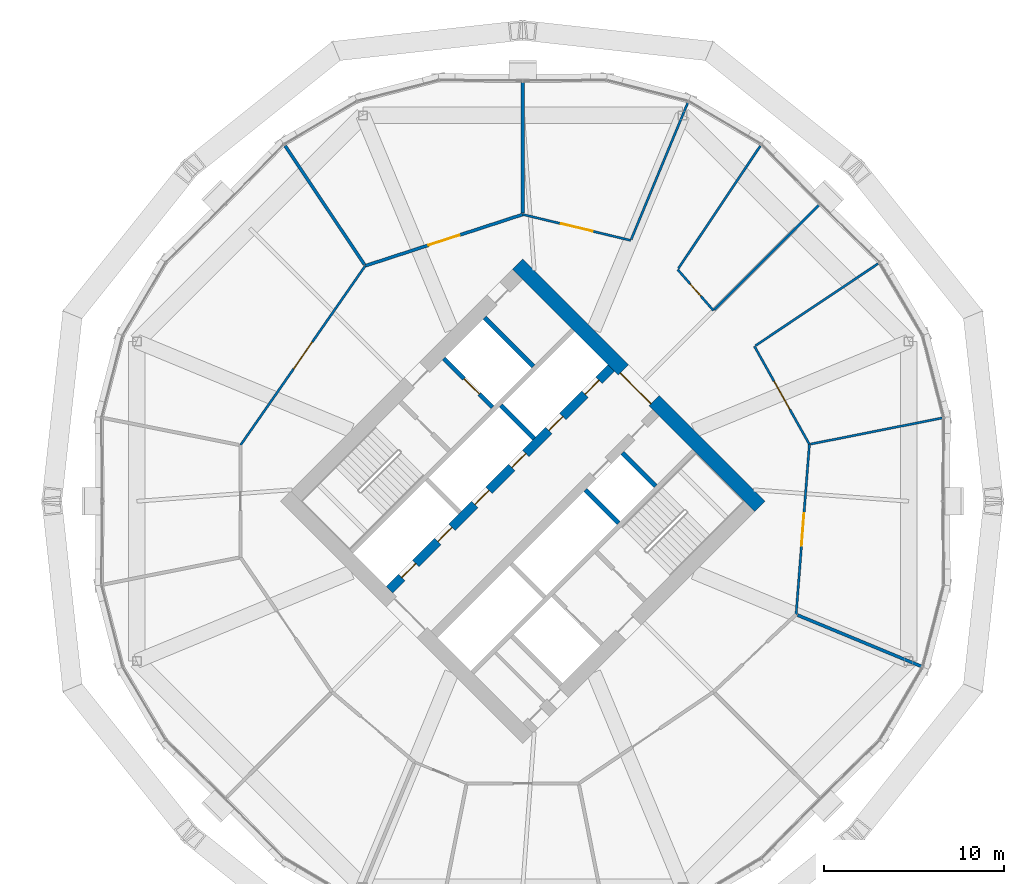
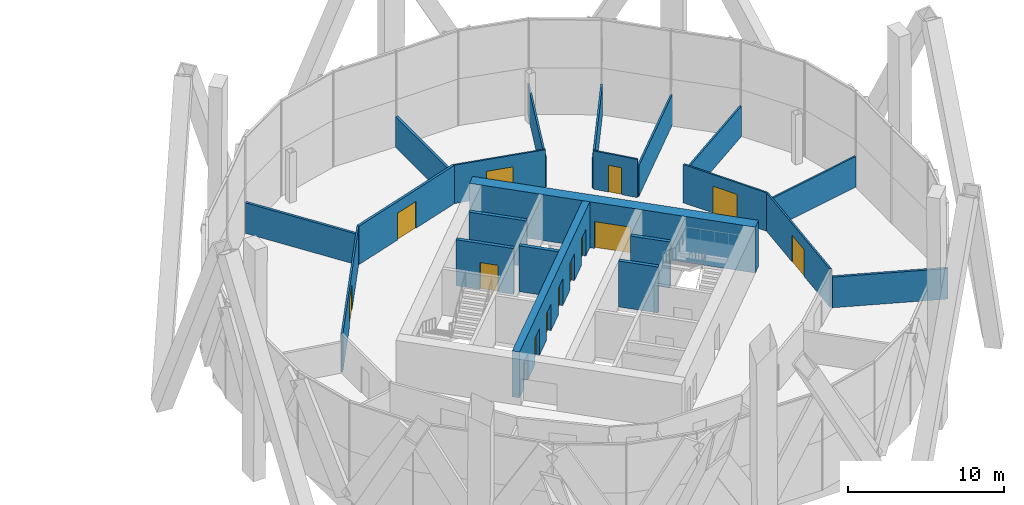
# One storey, part 25 of 30: 21 walls, 14 doors, 14 openings.
"""IFC4 building model written with IfcOpenShell, lengths in metres."""

import ifcopenshell
import ifcopenshell.guid

model = None  # the IFC model being written
_history = None  # IfcOwnerHistory: only IFC2X3 demands one
_inside = {}  # id of a spatial element -> (the spatial element, [elements in it])
_under = {}  # id of a project, library or spatial element -> (it, [spatial elements below it])
_declared = {}  # id of a project -> (the project, [libraries it declares])
_typed = {}  # id of a type object -> (the type object, [elements of that type])
_made_of = {}  # id of a material, layer set ... -> (it, [elements and type objects made of it])


def new_model(schema):
    """Start an empty IFC model of exactly this schema.

    Asked for "IFC4X3", IfcOpenShell would pick the latest addendum, in which some entities
    have other attributes; the version numbers below select the first issue.
    IFC2X3 requires an IfcOwnerHistory on every rooted entity: one is made here for all.
    """
    global model, _history
    if schema == "IFC4X3":
        model = ifcopenshell.file(schema_version=(4, 3, 0, 0))
    else:
        model = ifcopenshell.file(schema=schema)
    _inside.clear()
    _under.clear()
    _declared.clear()
    _typed.clear()
    _made_of.clear()
    _history = None
    if model.schema == "IFC2X3":
        org = make("IfcOrganization", Name="unknown")
        user = make(
            "IfcPersonAndOrganization",
            ThePerson=make("IfcPerson", FamilyName="unknown"),
            TheOrganization=org,
        )
        app = make(
            "IfcApplication",
            ApplicationDeveloper=org,
            Version="unknown",
            ApplicationFullName="unknown",
            ApplicationIdentifier="unknown",
        )
        _history = make(
            "IfcOwnerHistory",
            OwningUser=user,
            OwningApplication=app,
            ChangeAction="ADDED",
            CreationDate=0,
        )
    return model


def make(cls, **values):
    """One entity of the class cls with the attributes given. An attribute that is None is left unset."""
    return model.create_entity(
        cls, **{name: value for name, value in values.items() if value is not None}
    )


def rooted(cls, **values):
    """An entity with a GlobalId (a new one), such as an element, a storey or a relation."""
    return make(cls, GlobalId=ifcopenshell.guid.new(), OwnerHistory=_history, **values)


def si_unit(unit_type, name, prefix=None):
    """IfcSIUnit, for example si_unit("LENGTHUNIT", "METRE", prefix="MILLI")."""
    return make("IfcSIUnit", UnitType=unit_type, Prefix=prefix, Name=name)


def assignment(units):
    """IfcUnitAssignment: the units of a project."""
    return None if units is None else make("IfcUnitAssignment", Units=units)


def point(xyz):
    """IfcCartesianPoint."""
    return None if xyz is None else make("IfcCartesianPoint", Coordinates=xyz)


def direction(xyz):
    """IfcDirection."""
    return None if xyz is None else make("IfcDirection", DirectionRatios=xyz)


def frame(location, z_axis=None, x_axis=None):
    """IfcAxis2Placement3D, a coordinate frame: its origin and axes. An axis left out is left unset."""
    return make(
        "IfcAxis2Placement3D",
        Location=point(location),
        Axis=direction(z_axis),
        RefDirection=direction(x_axis),
    )


def frame_2d(location, x_axis=None):
    """IfcAxis2Placement2D, a coordinate frame in the plane: its origin and x axis."""
    return make(
        "IfcAxis2Placement2D", Location=point(location), RefDirection=direction(x_axis)
    )


def origin():
    """The frame at (0, 0, 0) with its axes left unset."""
    return frame((0.0, 0.0, 0.0))


def place(relative_to, where):
    """IfcLocalPlacement: puts the frame where relative to a parent placement (None: the world)."""
    return make(
        "IfcLocalPlacement", PlacementRelTo=relative_to, RelativePlacement=where
    )


def context(
    kind, dimensions, precision=None, world=None, true_north=None, identifier=None
):
    """IfcGeometricRepresentationContext, for example the 3D "Model" context."""
    return make(
        "IfcGeometricRepresentationContext",
        ContextIdentifier=identifier,
        ContextType=kind,
        CoordinateSpaceDimension=dimensions,
        Precision=precision,
        WorldCoordinateSystem=world,
        TrueNorth=true_north,
    )


def subcontext(parent, identifier, kind, view, scale=None):
    """IfcGeometricRepresentationSubContext, for example "Body" below "Model"."""
    return make(
        "IfcGeometricRepresentationSubContext",
        ContextIdentifier=identifier,
        ContextType=kind,
        ParentContext=parent,
        TargetScale=scale,
        TargetView=view,
    )


def project(units=None, contexts=None):
    """IfcProject with its units and contexts."""
    return rooted(
        "IfcProject",
        Name="project",
        RepresentationContexts=contexts,
        UnitsInContext=assignment(units),
    )


def spatial(cls, under=None, at=None, **own):
    """A site, building, storey or space (cls), placed at a placement, below another one or the project."""
    s = rooted(cls, ObjectPlacement=at, **own)
    if under is not None:
        _under.setdefault(under.id(), (under, []))[1].append(s)
    return s


def profile(cls, at=None, kind="AREA", **sizes):
    """A parametric profile (cls). Its sizes go by their IFC names, for example OverallWidth=200.0."""
    return make(cls, ProfileType=kind, Position=at, **sizes)


def rectangle(**sizes):
    """IfcRectangleProfileDef."""
    return profile("IfcRectangleProfileDef", **sizes)


def extrude(swept, where, along, depth):
    """IfcExtrudedAreaSolid: the profile swept, set in the frame where, extruded along a direction by depth."""
    return make(
        "IfcExtrudedAreaSolid",
        SweptArea=swept,
        Position=where,
        ExtrudedDirection=direction(along),
        Depth=depth,
    )


def shape(context_of_items, identifier, shape_type, items):
    """IfcShapeRepresentation: the items that make up one representation, for example the "Body"."""
    return make(
        "IfcShapeRepresentation",
        ContextOfItems=context_of_items,
        RepresentationIdentifier=identifier,
        RepresentationType=shape_type,
        Items=items,
    )


def material(Name=None, Category=None):
    """IfcMaterial."""
    return make("IfcMaterial", Name=Name, Category=Category)


def layer(
    of_material, thickness, ventilated=None, Name=None, Category=None, Priority=None
):
    """IfcMaterialLayer: one layer of a wall or slab, of a material (None: an air gap)."""
    return make(
        "IfcMaterialLayer",
        Material=of_material,
        LayerThickness=thickness,
        IsVentilated=ventilated,
        Name=Name,
        Category=Category,
        Priority=Priority,
    )


def layer_set(layers, Name=None):
    """IfcMaterialLayerSet."""
    return make("IfcMaterialLayerSet", MaterialLayers=layers, LayerSetName=Name)


def made_of(thing, what):
    """Note that an element or type object is made of a material, layer set ...; save() writes the relation."""
    if what is not None:
        _made_of.setdefault(what.id(), (what, []))[1].append(thing)
    return thing


def type_object(cls, material=None, **own):
    """A type object (cls), such as IfcWallType, which elements share."""
    return made_of(rooted(cls, **own), material)


def element(
    cls,
    number,
    at=None,
    inside=None,
    cuts=None,
    type_object=None,
    material=None,
    context=None,
    identifier="Body",
    shape_type=None,
    held_by="IfcProductDefinitionShape",
    body=None,
    shapes=None,
    **own,
):
    """One element of the class cls, such as IfcWall. Its Tag is "e" and its number.

    at: its placement. inside: the storey or other place that contains it. cuts: it is an
    opening in that element (IfcRelVoidsElement). A single representation is given by context,
    identifier, shape_type and body (its items); several are given by shapes. held_by: the class
    of the entity that holds the representations. save() writes the other relations.
    """
    e = rooted(cls, Tag="e%d" % number, ObjectPlacement=at, **own)
    if body is not None:
        shapes = [shape(context, identifier, shape_type, body)]
    if shapes is not None:
        e.Representation = make(held_by, Representations=shapes)
    if inside is not None:
        _inside.setdefault(inside.id(), (inside, []))[1].append(e)
    if cuts is not None:
        rooted(
            "IfcRelVoidsElement", RelatingBuildingElement=cuts, RelatedOpeningElement=e
        )
    if type_object is not None:
        _typed.setdefault(type_object.id(), (type_object, []))[1].append(e)
    return made_of(e, material)


def fill(opening, filler):
    """IfcRelFillsElement: the door or window that sits in an opening."""
    return rooted(
        "IfcRelFillsElement",
        RelatingOpeningElement=opening,
        RelatedBuildingElement=filler,
    )


def aggregate(whole, parts):
    """IfcRelAggregates: a whole, such as a stair, and the parts it consists of."""
    return rooted("IfcRelAggregates", RelatingObject=whole, RelatedObjects=parts)


def save(model, path):
    """Write the relations noted so far, then the file.

    IfcRelAggregates (storeys below a building ...), IfcRelContainedInSpatialStructure (elements
    in a storey), IfcRelDefinesByType, IfcRelAssociatesMaterial and IfcRelDeclares: one each for
    every whole, place, type object, material and project.
    """
    for whole, parts in _under.values():
        aggregate(whole, parts)
    for where, things in _inside.values():
        rooted(
            "IfcRelContainedInSpatialStructure",
            RelatedElements=things,
            RelatingStructure=where,
        )
    for kind, things in _typed.values():
        rooted("IfcRelDefinesByType", RelatedObjects=things, RelatingType=kind)
    for what, things in _made_of.values():
        rooted("IfcRelAssociatesMaterial", RelatedObjects=things, RelatingMaterial=what)
    for by, libraries in _declared.values():
        rooted("IfcRelDeclares", RelatingContext=by, RelatedDefinitions=libraries)
    model.write(path)


model = new_model("IFC4")

# Units and contexts
model_context = context("Model", 3, precision=1e-05, world=origin(), true_north=direction((0.0, 1.0)))
body_context = subcontext(model_context, "Body", "Model", "MODEL_VIEW")
ifc_project = project(units=[si_unit("LENGTHUNIT", "METRE"), si_unit("AREAUNIT", "SQUARE_METRE"), si_unit("VOLUMEUNIT", "CUBIC_METRE"), si_unit("PLANEANGLEUNIT", "RADIAN"), si_unit("MASSUNIT", "GRAM", prefix="KILO")], contexts=[model_context])

# Site, building, storey
site_placement = place(None, origin())
site = spatial("IfcSite", under=ifc_project, at=site_placement, CompositionType="ELEMENT")
building_placement = place(site_placement, origin())
building = spatial("IfcBuilding", under=site, at=building_placement, Name="Ogive Gate Towers", CompositionType="ELEMENT")
storey_placement = place(building_placement, frame((0.0, 0.0, 99.60009765625)))
storey = spatial("IfcBuildingStorey", under=building, at=storey_placement, Name="L23", CompositionType="ELEMENT", Elevation=99.60009765625)

# Walls
ifc_material_1 = material(Name="Gypsum board acoustic partition")
ifc_layer_1 = layer(ifc_material_1, 0.175048828125)
ifc_layer_set_1 = layer_set([ifc_layer_1], Name="Acoustic partition 175")
wall_type_1 = type_object("IfcWallType", Name="Acoustic partition 175", PredefinedType="PARTITIONING", material=ifc_layer_set_1)
wall_1_placement = place(storey_placement, frame((36.0, 23.208984375, 0.0), z_axis=(0.0, 0.0, 1.0), x_axis=(0.0, -1.0, 0.0)))
element("IfcWall", 1, at=wall_1_placement, inside=storey, type_object=wall_type_1, Name="Partition T2-L23-006", PredefinedType="PARTITIONING", context=body_context, shape_type="SweptSolid", body=[
    extrude(rectangle(XDim=7.221435546875, YDim=0.175048828125, at=frame_2d((3.61083984375, 0.0))), origin(), (0.0, 0.0, 1.0), 2.39990234375),
])
wall_2_placement = place(storey_placement, frame((22.8212890625, 19.709716796875, 0.0), z_axis=(0.0, 0.0, 1.0), x_axis=(0.555845146473, -0.831285855252, 0.0)))
element("IfcWall", 2, at=wall_2_placement, inside=storey, type_object=wall_type_1, Name="Partition T2-L23-007", PredefinedType="PARTITIONING", context=body_context, shape_type="SweptSolid", body=[
    extrude(rectangle(XDim=7.918701171875, YDim=0.175048828125, at=frame_2d((3.95947265625, 0.0))), origin(), (0.0, 0.0, 1.0), 2.39990234375),
])
wall_3_placement = place(storey_placement, frame((58.1669921875, -9.181884765625, 0.0), z_axis=(0.0, 0.0, 1.0), x_axis=(-0.923880784605, 0.382680409531, 0.0)))
element("IfcWall", 3, at=wall_3_placement, inside=storey, type_object=wall_type_1, Name="Partition T2-L23-015", PredefinedType="PARTITIONING", context=body_context, shape_type="SweptSolid", body=[
    extrude(rectangle(XDim=7.501953125, YDim=0.175048828125, at=frame_2d((3.7509765625, 0.0))), origin(), (0.0, 0.0, 1.0), 2.39990234375),
])

# Wall, opening, door
wall_4_placement = place(storey_placement, frame((36.0, 15.89990234375, 0.0), z_axis=(0.0, 0.0, 1.0), x_axis=(-0.950747558922, -0.309966254945, 0.0)))
wall_4 = element("IfcWall", 4, at=wall_4_placement, inside=storey, type_object=wall_type_1, Name="Partition T2-L23-018", PredefinedType="PARTITIONING", context=body_context, shape_type="SweptSolid", body=[
    extrude(rectangle(XDim=9.1806640625, YDim=0.175048828125, at=frame_2d((4.59033203125, 0.0))), origin(), (0.0, 0.0, 1.0), 3.010009765625),
])
opening_1_placement = place(wall_4_placement, frame((3.68994140625, 0.0, 0.0)))
opening_1 = element("IfcOpeningElement", 5, at=opening_1_placement, cuts=wall_4, Name="Opening T2-L23-D03", PredefinedType="OPENING", context=body_context, shape_type="SweptSolid", body=[
    extrude(rectangle(XDim=1.800048828125, YDim=2.10009765625, at=frame_2d((0.89990234375, 1.050048828125))), frame((0.0, 0.09765625, 0.0), z_axis=(0.0, -1.0, 0.0), x_axis=(1.0, 0.0, 0.0)), (0.0, 0.0, 1.0), 0.195068359375),
])
ifc_material_2 = material(Name="Timber door", Category="wood")
door_type_1 = type_object("IfcDoorType", Name="Door pair 1800", OperationType="NOTDEFINED", PredefinedType="DOOR", material=ifc_material_2)
door_1_placement = place(opening_1_placement, origin())
door_1 = element("IfcDoor", 6, at=door_1_placement, inside=storey, type_object=door_type_1, Name="Door T2-L23-D03", OperationType="DOUBLE_DOOR_DOUBLE_SWING", OverallHeight=2.10009765625, OverallWidth=1.800048828125, PredefinedType="DOOR", context=body_context, shape_type="SweptSolid", body=[
    extrude(rectangle(XDim=1.800048828125, YDim=2.10009765625, at=frame_2d((0.89990234375, 1.050048828125))), frame((0.0, 0.02490234375, 0.0), z_axis=(0.0, -1.0, 0.0), x_axis=(1.0, 0.0, 0.0)), (0.0, 0.0, 1.0), 0.050048828125),
])
fill(opening_1, door_1)

ifc_material_3 = material(Name="Concrete C60/75", Category="concrete")
ifc_layer_2 = layer(ifc_material_3, 0.800048828125)
ifc_layer_set_2 = layer_set([ifc_layer_2], Name="Core wall 800 mm")
wall_type_2 = type_object("IfcWallType", Name="Core wall 800 mm", PredefinedType="SHEAR", material=ifc_layer_set_2)
wall_5_placement = place(storey_placement, frame((49.152099609375, -0.28271484375, 0.0), z_axis=(0.0, 0.0, 1.0), x_axis=(-0.707106781187, 0.707106781187, 0.0)))
wall_5 = element("IfcWall", 7, at=wall_5_placement, inside=storey, type_object=wall_type_2, Name="T2 L23 Core wall 800 mm", PredefinedType="SHEAR", context=body_context, shape_type="SweptSolid", body=[
    extrude(rectangle(XDim=18.999755859375, YDim=0.800048828125, at=frame_2d((9.5, 0.0))), origin(), (0.0, 0.0, 1.0), 3.599853515625),
])
opening_2_placement = place(wall_5_placement, frame((8.300048828125, 0.0, 0.0)))
opening_2 = element("IfcOpeningElement", 8, at=opening_2_placement, cuts=wall_5, Name="Opening KD-T2-L23-02", PredefinedType="OPENING", context=body_context, shape_type="SweptSolid", body=[
    extrude(rectangle(XDim=2.39990234375, YDim=2.10009765625, at=frame_2d((1.199951171875, 1.050048828125))), frame((0.0, 0.41015625, 0.0), z_axis=(0.0, -1.0, 0.0), x_axis=(1.0, 0.0, 0.0)), (0.0, 0.0, 1.0), 0.820068359375),
])
ifc_material_4 = material(Name="Steel fire door", Category="steel")
door_type_2 = type_object("IfcDoorType", Name="Core double door FD60S 2400 x 2100", OperationType="DOUBLE_DOOR_SINGLE_SWING", PredefinedType="DOOR", material=ifc_material_4)
door_2_placement = place(opening_2_placement, origin())
door_2 = element("IfcDoor", 9, at=door_2_placement, inside=storey, type_object=door_type_2, Name="T2 L23 Core door double", OperationType="DOUBLE_DOOR_SINGLE_SWING", OverallHeight=2.10009765625, OverallWidth=2.39990234375, PredefinedType="DOOR", context=body_context, shape_type="SweptSolid", body=[
    extrude(rectangle(XDim=2.39990234375, YDim=2.10009765625, at=frame_2d((1.199951171875, 1.050048828125))), frame((0.0, 0.27490234375, 0.0), z_axis=(0.0, -1.0, 0.0), x_axis=(1.0, 0.0, 0.0)), (0.0, 0.0, 1.0), 0.050048828125),
])
fill(opening_2, door_2)

# Walls
ifc_material_5 = material(Name="Gypsum board partition")
ifc_layer_3 = layer(ifc_material_5, 0.125)
ifc_layer_set_3 = layer_set([ifc_layer_3], Name="Partition 125")
wall_type_3 = type_object("IfcWallType", Name="Partition 125", PredefinedType="PARTITIONING", material=ifc_layer_set_3)
wall_6_placement = place(storey_placement, frame((59.25537109375, 4.6181640625, 0.0), z_axis=(0.0, 0.0, 1.0), x_axis=(-0.980844693546, -0.194791393913, 0.0)))
element("IfcWall", 10, at=wall_6_placement, inside=storey, type_object=wall_type_3, Name="Partition T2-L23-001", PredefinedType="PARTITIONING", context=body_context, shape_type="SweptSolid", body=[
    extrude(rectangle(XDim=7.443603515625, YDim=0.125, at=frame_2d((3.7216796875, 0.0))), origin(), (0.0, 0.0, 1.0), 2.39990234375),
])
wall_7_placement = place(storey_placement, frame((55.709716796875, 13.1787109375, 0.0), z_axis=(0.0, 0.0, 1.0), x_axis=(-0.831283969022, -0.555847967386, 0.0)))
element("IfcWall", 11, at=wall_7_placement, inside=storey, type_object=wall_type_3, Name="Partition T2-L23-002", PredefinedType="PARTITIONING", context=body_context, shape_type="SweptSolid", body=[
    extrude(rectangle(XDim=8.193603515625, YDim=0.125, at=frame_2d((4.0966796875, 0.0))), origin(), (0.0, 0.0, 1.0), 2.39990234375),
])
wall_8_placement = place(storey_placement, frame((52.521240234375, 16.521240234375, 0.0), z_axis=(0.0, 0.0, 1.0), x_axis=(-0.707106781187, -0.707106781187, 0.0)))
element("IfcWall", 12, at=wall_8_placement, inside=storey, type_object=wall_type_3, Name="Partition T2-L23-003", PredefinedType="PARTITIONING", context=body_context, shape_type="SweptSolid", body=[
    extrude(rectangle(XDim=8.348876953125, YDim=0.125, at=frame_2d((4.17431640625, 0.0))), origin(), (0.0, 0.0, 1.0), 2.39990234375),
])
wall_9_placement = place(storey_placement, frame((49.1787109375, 19.709716796875, 0.0), z_axis=(0.0, 0.0, 1.0), x_axis=(-0.555847967386, -0.831283969022, 0.0)))
element("IfcWall", 13, at=wall_9_placement, inside=storey, type_object=wall_type_3, Name="Partition T2-L23-004", PredefinedType="PARTITIONING", context=body_context, shape_type="SweptSolid", body=[
    extrude(rectangle(XDim=8.193603515625, YDim=0.125, at=frame_2d((4.0966796875, 0.0))), origin(), (0.0, 0.0, 1.0), 2.39990234375),
])
wall_10_placement = place(storey_placement, frame((45.181884765625, 22.1669921875, 0.0), z_axis=(0.0, 0.0, 1.0), x_axis=(-0.382683502843, -0.923879503318, 0.0)))
element("IfcWall", 14, at=wall_10_placement, inside=storey, type_object=wall_type_3, Name="Partition T2-L23-005", PredefinedType="PARTITIONING", context=body_context, shape_type="SweptSolid", body=[
    extrude(rectangle(XDim=8.277099609375, YDim=0.125, at=frame_2d((4.138671875, 0.0))), origin(), (0.0, 0.0, 1.0), 2.39990234375),
])

# Wall, opening, door
wall_11_placement = place(storey_placement, frame((46.573486328125, 10.573486328125, 0.0), z_axis=(0.0, 0.0, 1.0), x_axis=(-0.657576005144, 0.753388211653, 0.0)))
wall_11 = element("IfcWall", 15, at=wall_11_placement, inside=storey, type_object=wall_type_3, Name="Partition T2-L23-016", PredefinedType="PARTITIONING", context=body_context, shape_type="SweptSolid", body=[
    extrude(rectangle(XDim=3.01708984375, YDim=0.125, at=frame_2d((1.508544921875, 0.0))), origin(), (0.0, 0.0, 1.0), 3.0),
])
opening_3_placement = place(wall_11_placement, frame((1.05810546875, 0.0, 0.0)))
opening_3 = element("IfcOpeningElement", 16, at=opening_3_placement, cuts=wall_11, Name="Opening T2-L23-D01", PredefinedType="OPENING", context=body_context, shape_type="SweptSolid", body=[
    extrude(rectangle(XDim=0.89990234375, YDim=2.10009765625, at=frame_2d((0.449951171875, 1.050048828125))), frame((0.0, 0.072509765625, 0.0), z_axis=(0.0, -1.0, 0.0), x_axis=(1.0, 0.0, 0.0)), (0.0, 0.0, 1.0), 0.14501953125),
])
door_type_3 = type_object("IfcDoorType", Name="Door 900", OperationType="NOTDEFINED", PredefinedType="DOOR", material=ifc_material_2)
door_3_placement = place(opening_3_placement, origin())
door_3 = element("IfcDoor", 17, at=door_3_placement, inside=storey, type_object=door_type_3, Name="Door T2-L23-D01", OperationType="SINGLE_SWING_LEFT", OverallHeight=2.10009765625, OverallWidth=0.89990234375, PredefinedType="DOOR", context=body_context, shape_type="SweptSolid", body=[
    extrude(rectangle(XDim=0.89990234375, YDim=2.10009765625, at=frame_2d((0.449951171875, 1.050048828125))), frame((0.0, 0.02490234375, 0.0), z_axis=(0.0, -1.0, 0.0), x_axis=(1.0, 0.0, 0.0)), (0.0, 0.0, 1.0), 0.050048828125),
])
fill(opening_3, door_3)

wall_12_placement = place(storey_placement, frame((41.990478515625, 14.46240234375, 0.0), z_axis=(0.0, 0.0, 1.0), x_axis=(-0.972395215381, 0.23333997751, 0.0)))
wall_12 = element("IfcWall", 18, at=wall_12_placement, inside=storey, type_object=wall_type_3, Name="Partition T2-L23-017", PredefinedType="PARTITIONING", context=body_context, shape_type="SweptSolid", body=[
    extrude(rectangle(XDim=6.16064453125, YDim=0.125, at=frame_2d((3.080322265625, 0.0))), origin(), (0.0, 0.0, 1.0), 3.010009765625),
])
opening_4_placement = place(wall_12_placement, frame((2.179931640625, 0.0, 0.0)))
opening_4 = element("IfcOpeningElement", 19, at=opening_4_placement, cuts=wall_12, Name="Opening T2-L23-D02", PredefinedType="OPENING", context=body_context, shape_type="SweptSolid", body=[
    extrude(rectangle(XDim=1.800048828125, YDim=2.10009765625, at=frame_2d((0.89990234375, 1.050048828125))), frame((0.0, 0.072509765625, 0.0), z_axis=(0.0, -1.0, 0.0), x_axis=(1.0, 0.0, 0.0)), (0.0, 0.0, 1.0), 0.14501953125),
])
door_4_placement = place(opening_4_placement, origin())
door_4 = element("IfcDoor", 20, at=door_4_placement, inside=storey, type_object=door_type_1, Name="Door T2-L23-D02", OperationType="DOUBLE_DOOR_DOUBLE_SWING", OverallHeight=2.10009765625, OverallWidth=1.800048828125, PredefinedType="DOOR", context=body_context, shape_type="SweptSolid", body=[
    extrude(rectangle(XDim=1.800048828125, YDim=2.10009765625, at=frame_2d((0.89990234375, 1.050048828125))), frame((0.0, 0.02490234375, 0.0), z_axis=(0.0, -1.0, 0.0), x_axis=(1.0, 0.0, 0.0)), (0.0, 0.0, 1.0), 0.050048828125),
])
fill(opening_4, door_4)

wall_13_placement = place(storey_placement, frame((27.271484375, 13.05419921875, 0.0), z_axis=(0.0, 0.0, 1.0), x_axis=(-0.571060946089, -0.820907665851, 0.0)))
wall_13 = element("IfcWall", 21, at=wall_13_placement, inside=storey, type_object=wall_type_3, Name="Partition T2-L23-019", PredefinedType="PARTITIONING", context=body_context, shape_type="SweptSolid", body=[
    extrude(rectangle(XDim=12.11669921875, YDim=0.125, at=frame_2d((6.058349609375, 0.0))), origin(), (0.0, 0.0, 1.0), 3.0),
])
opening_5_placement = place(wall_13_placement, frame((5.157958984375, 0.0, 0.0)))
opening_5 = element("IfcOpeningElement", 22, at=opening_5_placement, cuts=wall_13, Name="Opening T2-L23-D04", PredefinedType="OPENING", context=body_context, shape_type="SweptSolid", body=[
    extrude(rectangle(XDim=1.800048828125, YDim=2.10009765625, at=frame_2d((0.89990234375, 1.050048828125))), frame((0.0, 0.072509765625, 0.0), z_axis=(0.0, -1.0, 0.0), x_axis=(1.0, 0.0, 0.0)), (0.0, 0.0, 1.0), 0.14501953125),
])
door_5_placement = place(opening_5_placement, origin())
door_5 = element("IfcDoor", 23, at=door_5_placement, inside=storey, type_object=door_type_1, Name="Door T2-L23-D04", OperationType="DOUBLE_DOOR_DOUBLE_SWING", OverallHeight=2.10009765625, OverallWidth=1.800048828125, PredefinedType="DOOR", context=body_context, shape_type="SweptSolid", body=[
    extrude(rectangle(XDim=1.800048828125, YDim=2.10009765625, at=frame_2d((0.89990234375, 1.050048828125))), frame((0.0, 0.02490234375, 0.0), z_axis=(0.0, -1.0, 0.0), x_axis=(1.0, 0.0, 0.0)), (0.0, 0.0, 1.0), 0.050048828125),
])
fill(opening_5, door_5)

wall_14_placement = place(storey_placement, frame((51.1552734375, -6.277587890625, 0.0), z_axis=(0.0, 0.0, 1.0), x_axis=(0.077971011993, 0.99695562654, 0.0)))
wall_14 = element("IfcWall", 24, at=wall_14_placement, inside=storey, type_object=wall_type_3, Name="Partition T2-L23-027", PredefinedType="PARTITIONING", context=body_context, shape_type="SweptSolid", body=[
    extrude(rectangle(XDim=9.46240234375, YDim=0.125, at=frame_2d((4.731201171875, 0.0))), origin(), (0.0, 0.0, 1.0), 3.010009765625),
])
opening_6_placement = place(wall_14_placement, frame((3.8310546875, 0.0, 0.0)))
opening_6 = element("IfcOpeningElement", 25, at=opening_6_placement, cuts=wall_14, Name="Opening T2-L23-D12", PredefinedType="OPENING", context=body_context, shape_type="SweptSolid", body=[
    extrude(rectangle(XDim=1.800048828125, YDim=2.10009765625, at=frame_2d((0.89990234375, 1.050048828125))), frame((0.0, 0.072509765625, 0.0), z_axis=(0.0, -1.0, 0.0), x_axis=(1.0, 0.0, 0.0)), (0.0, 0.0, 1.0), 0.14501953125),
])
door_6_placement = place(opening_6_placement, origin())
door_6 = element("IfcDoor", 26, at=door_6_placement, inside=storey, type_object=door_type_1, Name="Door T2-L23-D12", OperationType="DOUBLE_DOOR_DOUBLE_SWING", OverallHeight=2.10009765625, OverallWidth=1.800048828125, PredefinedType="DOOR", context=body_context, shape_type="SweptSolid", body=[
    extrude(rectangle(XDim=1.800048828125, YDim=2.10009765625, at=frame_2d((0.89990234375, 1.050048828125))), frame((0.0, 0.02490234375, 0.0), z_axis=(0.0, -1.0, 0.0), x_axis=(1.0, 0.0, 0.0)), (0.0, 0.0, 1.0), 0.050048828125),
])
fill(opening_6, door_6)

wall_15_placement = place(storey_placement, frame((51.89306640625, 3.156005859375, 0.0), z_axis=(0.0, 0.0, 1.0), x_axis=(-0.489069920592, 0.872244583114, 0.0)))
wall_15 = element("IfcWall", 27, at=wall_15_placement, inside=storey, type_object=wall_type_3, Name="Partition T2-L23-028", PredefinedType="PARTITIONING", context=body_context, shape_type="SweptSolid", body=[
    extrude(rectangle(XDim=6.2294921875, YDim=0.125, at=frame_2d((3.11474609375, 0.0))), origin(), (0.0, 0.0, 1.0), 3.010009765625),
])
opening_7_placement = place(wall_15_placement, frame((2.215087890625, 0.0, 0.0)))
opening_7 = element("IfcOpeningElement", 28, at=opening_7_placement, cuts=wall_15, Name="Opening T2-L23-D13", PredefinedType="OPENING", context=body_context, shape_type="SweptSolid", body=[
    extrude(rectangle(XDim=1.800048828125, YDim=2.10009765625, at=frame_2d((0.89990234375, 1.050048828125))), frame((0.0, 0.072509765625, 0.0), z_axis=(0.0, -1.0, 0.0), x_axis=(1.0, 0.0, 0.0)), (0.0, 0.0, 1.0), 0.14501953125),
])
door_7_placement = place(opening_7_placement, origin())
door_7 = element("IfcDoor", 29, at=door_7_placement, inside=storey, type_object=door_type_1, Name="Door T2-L23-D13", OperationType="DOUBLE_DOOR_DOUBLE_SWING", OverallHeight=2.10009765625, OverallWidth=1.800048828125, PredefinedType="DOOR", context=body_context, shape_type="SweptSolid", body=[
    extrude(rectangle(XDim=1.800048828125, YDim=2.10009765625, at=frame_2d((0.89990234375, 1.050048828125))), frame((0.0, 0.02490234375, 0.0), z_axis=(0.0, -1.0, 0.0), x_axis=(1.0, 0.0, 0.0)), (0.0, 0.0, 1.0), 0.050048828125),
])
fill(opening_7, door_7)

ifc_layer_4 = layer(ifc_material_3, 0.25)
ifc_layer_set_4 = layer_set([ifc_layer_4], Name="Shaft wall 250 mm")
wall_type_4 = type_object("IfcWallType", Name="Shaft wall 250 mm", PredefinedType="SHEAR", material=ifc_layer_set_4)
wall_16_placement = place(storey_placement, frame((34.320556640625, 5.21484375, 0.0), z_axis=(0.0, 0.0, 1.0), x_axis=(-0.707074866995, 0.707138693938, 0.0)))
wall_16 = element("IfcWall", 30, at=wall_16_placement, inside=storey, type_object=wall_type_4, Name="T2 L23 Shaft wall 250 mm", PredefinedType="SHEAR", context=body_context, shape_type="SweptSolid", body=[
    extrude(rectangle(XDim=3.824951171875, YDim=0.25, at=frame_2d((1.91259765625, 0.0))), origin(), (0.0, 0.0, 1.0), 3.599853515625),
])
opening_8_placement = place(wall_16_placement, frame((1.02490234375, 0.0, 0.0)))
opening_8 = element("IfcOpeningElement", 31, at=opening_8_placement, cuts=wall_16, Name="Opening LD-T2-L23-10", PredefinedType="OPENING", context=body_context, shape_type="SweptSolid", body=[
    extrude(rectangle(XDim=1.199951171875, YDim=2.10009765625, at=frame_2d((0.60009765625, 1.050048828125))), frame((0.0, 0.135009765625, 0.0), z_axis=(0.0, -1.0, 0.0), x_axis=(1.0, 0.0, 0.0)), (0.0, 0.0, 1.0), 0.27001953125),
])
ifc_material_6 = material(Name="Stainless steel landing door", Category="steel")
door_type_4 = type_object("IfcDoorType", Name="Landing door 1200 x 2100", OperationType="SLIDING_TO_LEFT", PredefinedType="DOOR", material=ifc_material_6)
door_8_placement = place(opening_8_placement, origin())
door_8 = element("IfcDoor", 32, at=door_8_placement, inside=storey, type_object=door_type_4, Name="T2 L23 Lift landing door FF1", OperationType="SLIDING_TO_LEFT", OverallHeight=2.10009765625, OverallWidth=1.199951171875, PredefinedType="DOOR", context=body_context, shape_type="SweptSolid", body=[
    extrude(rectangle(XDim=1.199951171875, YDim=2.10009765625, at=frame_2d((0.60009765625, 1.050048828125))), frame((0.0, 0.02490234375, 0.0), z_axis=(0.0, -1.0, 0.0), x_axis=(1.0, 0.0, 0.0)), (0.0, 0.0, 1.0), 0.050048828125),
])
fill(opening_8, door_8)

# Walls
for number, where, z_axis, x_axis, name in (
    (33, (41.321044921875, -1.2197265625, 0.0), (0.0, 0.0, 1.0), (-0.707106781187, 0.707106781187, 0.0), "T2 L23 Shaft wall 250 mm"),
    (34, (36.636474609375, 3.46484375, 0.0), (0.0, 0.0, 1.0), (-0.707106781187, 0.707106781187, 0.0), "T2 L23 Shaft wall 250 mm"),
):
    element("IfcWall", number, at=place(storey_placement, frame(where, z_axis=z_axis, x_axis=x_axis)), inside=storey, type_object=wall_type_4, Name=name, PredefinedType="SHEAR", context=body_context, shape_type="SweptSolid", body=[
        extrude(rectangle(XDim=2.625, YDim=0.25, at=frame_2d((1.3125, 0.0))), origin(), (0.0, 0.0, 1.0), 3.599853515625),
    ])
wall_17_placement = place(storey_placement, frame((36.58349609375, 7.477783203125, 0.0), z_axis=(0.0, 0.0, 1.0), x_axis=(-0.707138693938, 0.707074866995, 0.0)))
element("IfcWall", 35, at=wall_17_placement, inside=storey, type_object=wall_type_4, Name="T2 L23 Shaft wall 250 mm", PredefinedType="SHEAR", context=body_context, shape_type="SweptSolid", body=[
    extrude(rectangle(XDim=3.824951171875, YDim=0.25, at=frame_2d((1.91259765625, 0.0))), origin(), (0.0, 0.0, 1.0), 3.599853515625),
])
wall_18_placement = place(storey_placement, frame((43.37158203125, 0.830810546875, 0.0), z_axis=(0.0, 0.0, 1.0), x_axis=(-0.707106781187, 0.707106781187, 0.0)))
element("IfcWall", 36, at=wall_18_placement, inside=storey, type_object=wall_type_4, Name="T2 L23 Shaft wall 250 mm", PredefinedType="SHEAR", context=body_context, shape_type="SweptSolid", body=[
    extrude(rectangle(XDim=2.625, YDim=0.25, at=frame_2d((1.3125, 0.0))), origin(), (0.0, 0.0, 1.0), 3.599853515625),
])

# Wall, openings, doors
ifc_layer_5 = layer(ifc_material_3, 0.5)
ifc_layer_set_5 = layer_set([ifc_layer_5], Name="Spine wall 500 mm")
wall_type_5 = type_object("IfcWallType", Name="Spine wall 500 mm", PredefinedType="SHEAR", material=ifc_layer_set_5)
wall_19_placement = place(storey_placement, frame((28.610595703125, -4.914306640625, 0.0), z_axis=(0.0, 0.0, 1.0), x_axis=(0.707106781187, 0.707106781187, 0.0)))
wall_19 = element("IfcWall", 37, at=wall_19_placement, inside=storey, type_object=wall_type_5, Name="T2 L23 Spine wall 500 mm", PredefinedType="SHEAR", context=body_context, shape_type="SweptSolid", body=[
    extrude(rectangle(XDim=17.400146484375, YDim=0.5, at=frame_2d((8.7001953125, 0.0))), origin(), (0.0, 0.0, 1.0), 3.599853515625),
])
opening_9_placement = place(wall_19_placement, frame((0.96240234375, 0.0, 0.0)))
opening_9 = element("IfcOpeningElement", 38, at=opening_9_placement, cuts=wall_19, Name="Opening LD-T2-L23-03", PredefinedType="OPENING", context=body_context, shape_type="SweptSolid", body=[
    extrude(rectangle(XDim=1.10009765625, YDim=2.10009765625, at=frame_2d((0.550048828125, 1.050048828125))), frame((0.0, 0.260009765625, 0.0), z_axis=(0.0, -1.0, 0.0), x_axis=(1.0, 0.0, 0.0)), (0.0, 0.0, 1.0), 0.52001953125),
])
opening_10_placement = place(wall_19_placement, frame((3.800048828125, 0.0, 0.0)))
opening_10 = element("IfcOpeningElement", 39, at=opening_10_placement, cuts=wall_19, Name="Opening LD-T2-L23-04", PredefinedType="OPENING", context=body_context, shape_type="SweptSolid", body=[
    extrude(rectangle(XDim=1.10009765625, YDim=2.10009765625, at=frame_2d((0.550048828125, 1.050048828125))), frame((0.0, 0.260009765625, 0.0), z_axis=(0.0, -1.0, 0.0), x_axis=(1.0, 0.0, 0.0)), (0.0, 0.0, 1.0), 0.52001953125),
])
opening_11_placement = place(wall_19_placement, frame((6.699951171875, 0.0, 0.0)))
opening_11 = element("IfcOpeningElement", 40, at=opening_11_placement, cuts=wall_19, Name="Opening LD-T2-L23-05", PredefinedType="OPENING", context=body_context, shape_type="SweptSolid", body=[
    extrude(rectangle(XDim=1.10009765625, YDim=2.10009765625, at=frame_2d((0.550048828125, 1.050048828125))), frame((0.0, 0.260009765625, 0.0), z_axis=(0.0, -1.0, 0.0), x_axis=(1.0, 0.0, 0.0)), (0.0, 0.0, 1.0), 0.52001953125),
])
opening_12_placement = place(wall_19_placement, frame((9.60009765625, 0.0, 0.0)))
opening_12 = element("IfcOpeningElement", 41, at=opening_12_placement, cuts=wall_19, Name="Opening LD-T2-L23-06", PredefinedType="OPENING", context=body_context, shape_type="SweptSolid", body=[
    extrude(rectangle(XDim=1.10009765625, YDim=2.10009765625, at=frame_2d((0.550048828125, 1.050048828125))), frame((0.0, 0.260009765625, 0.0), z_axis=(0.0, -1.0, 0.0), x_axis=(1.0, 0.0, 0.0)), (0.0, 0.0, 1.0), 0.52001953125),
])
opening_13_placement = place(wall_19_placement, frame((12.5, 0.0, 0.0)))
opening_13 = element("IfcOpeningElement", 42, at=opening_13_placement, cuts=wall_19, Name="Opening LD-T2-L23-07", PredefinedType="OPENING", context=body_context, shape_type="SweptSolid", body=[
    extrude(rectangle(XDim=1.10009765625, YDim=2.10009765625, at=frame_2d((0.550048828125, 1.050048828125))), frame((0.0, 0.260009765625, 0.0), z_axis=(0.0, -1.0, 0.0), x_axis=(1.0, 0.0, 0.0)), (0.0, 0.0, 1.0), 0.52001953125),
])
opening_14_placement = place(wall_19_placement, frame((15.33740234375, 0.0, 0.0)))
opening_14 = element("IfcOpeningElement", 43, at=opening_14_placement, cuts=wall_19, Name="Opening LD-T2-L23-08", PredefinedType="OPENING", context=body_context, shape_type="SweptSolid", body=[
    extrude(rectangle(XDim=1.10009765625, YDim=2.10009765625, at=frame_2d((0.550048828125, 1.050048828125))), frame((0.0, 0.260009765625, 0.0), z_axis=(0.0, -1.0, 0.0), x_axis=(1.0, 0.0, 0.0)), (0.0, 0.0, 1.0), 0.52001953125),
])
door_type_5 = type_object("IfcDoorType", Name="Landing door 1100 x 2100", OperationType="SLIDING_TO_LEFT", PredefinedType="DOOR", material=ifc_material_6)
door_9_placement = place(opening_9_placement, origin())
door_9 = element("IfcDoor", 44, at=door_9_placement, inside=storey, type_object=door_type_5, Name="T2 L23 Lift landing door A1", OperationType="SLIDING_TO_LEFT", OverallHeight=2.10009765625, OverallWidth=1.10009765625, PredefinedType="DOOR", context=body_context, shape_type="SweptSolid", body=[
    extrude(rectangle(XDim=1.10009765625, YDim=2.10009765625, at=frame_2d((0.550048828125, 1.050048828125))), frame((0.0, 0.02490234375, 0.0), z_axis=(0.0, -1.0, 0.0), x_axis=(1.0, 0.0, 0.0)), (0.0, 0.0, 1.0), 0.050048828125),
])
fill(opening_9, door_9)
door_10_placement = place(opening_10_placement, origin())
door_10 = element("IfcDoor", 45, at=door_10_placement, inside=storey, type_object=door_type_5, Name="T2 L23 Lift landing door A2", OperationType="SLIDING_TO_LEFT", OverallHeight=2.10009765625, OverallWidth=1.10009765625, PredefinedType="DOOR", context=body_context, shape_type="SweptSolid", body=[
    extrude(rectangle(XDim=1.10009765625, YDim=2.10009765625, at=frame_2d((0.550048828125, 1.050048828125))), frame((0.0, 0.02490234375, 0.0), z_axis=(0.0, -1.0, 0.0), x_axis=(1.0, 0.0, 0.0)), (0.0, 0.0, 1.0), 0.050048828125),
])
fill(opening_10, door_10)
door_11_placement = place(opening_11_placement, origin())
door_11 = element("IfcDoor", 46, at=door_11_placement, inside=storey, type_object=door_type_5, Name="T2 L23 Lift landing door A3", OperationType="SLIDING_TO_LEFT", OverallHeight=2.10009765625, OverallWidth=1.10009765625, PredefinedType="DOOR", context=body_context, shape_type="SweptSolid", body=[
    extrude(rectangle(XDim=1.10009765625, YDim=2.10009765625, at=frame_2d((0.550048828125, 1.050048828125))), frame((0.0, 0.02490234375, 0.0), z_axis=(0.0, -1.0, 0.0), x_axis=(1.0, 0.0, 0.0)), (0.0, 0.0, 1.0), 0.050048828125),
])
fill(opening_11, door_11)
door_12_placement = place(opening_12_placement, origin())
door_12 = element("IfcDoor", 47, at=door_12_placement, inside=storey, type_object=door_type_5, Name="T2 L23 Lift landing door A4", OperationType="SLIDING_TO_LEFT", OverallHeight=2.10009765625, OverallWidth=1.10009765625, PredefinedType="DOOR", context=body_context, shape_type="SweptSolid", body=[
    extrude(rectangle(XDim=1.10009765625, YDim=2.10009765625, at=frame_2d((0.550048828125, 1.050048828125))), frame((0.0, 0.02490234375, 0.0), z_axis=(0.0, -1.0, 0.0), x_axis=(1.0, 0.0, 0.0)), (0.0, 0.0, 1.0), 0.050048828125),
])
fill(opening_12, door_12)
door_13_placement = place(opening_13_placement, origin())
door_13 = element("IfcDoor", 48, at=door_13_placement, inside=storey, type_object=door_type_5, Name="T2 L23 Lift landing door A5", OperationType="SLIDING_TO_LEFT", OverallHeight=2.10009765625, OverallWidth=1.10009765625, PredefinedType="DOOR", context=body_context, shape_type="SweptSolid", body=[
    extrude(rectangle(XDim=1.10009765625, YDim=2.10009765625, at=frame_2d((0.550048828125, 1.050048828125))), frame((0.0, 0.02490234375, 0.0), z_axis=(0.0, -1.0, 0.0), x_axis=(1.0, 0.0, 0.0)), (0.0, 0.0, 1.0), 0.050048828125),
])
fill(opening_13, door_13)
door_14_placement = place(opening_14_placement, origin())
door_14 = element("IfcDoor", 49, at=door_14_placement, inside=storey, type_object=door_type_5, Name="T2 L23 Lift landing door A6", OperationType="SLIDING_TO_LEFT", OverallHeight=2.10009765625, OverallWidth=1.10009765625, PredefinedType="DOOR", context=body_context, shape_type="SweptSolid", body=[
    extrude(rectangle(XDim=1.10009765625, YDim=2.10009765625, at=frame_2d((0.550048828125, 1.050048828125))), frame((0.0, 0.02490234375, 0.0), z_axis=(0.0, -1.0, 0.0), x_axis=(1.0, 0.0, 0.0)), (0.0, 0.0, 1.0), 0.050048828125),
])
fill(opening_14, door_14)

save(model, "model.ifc")
